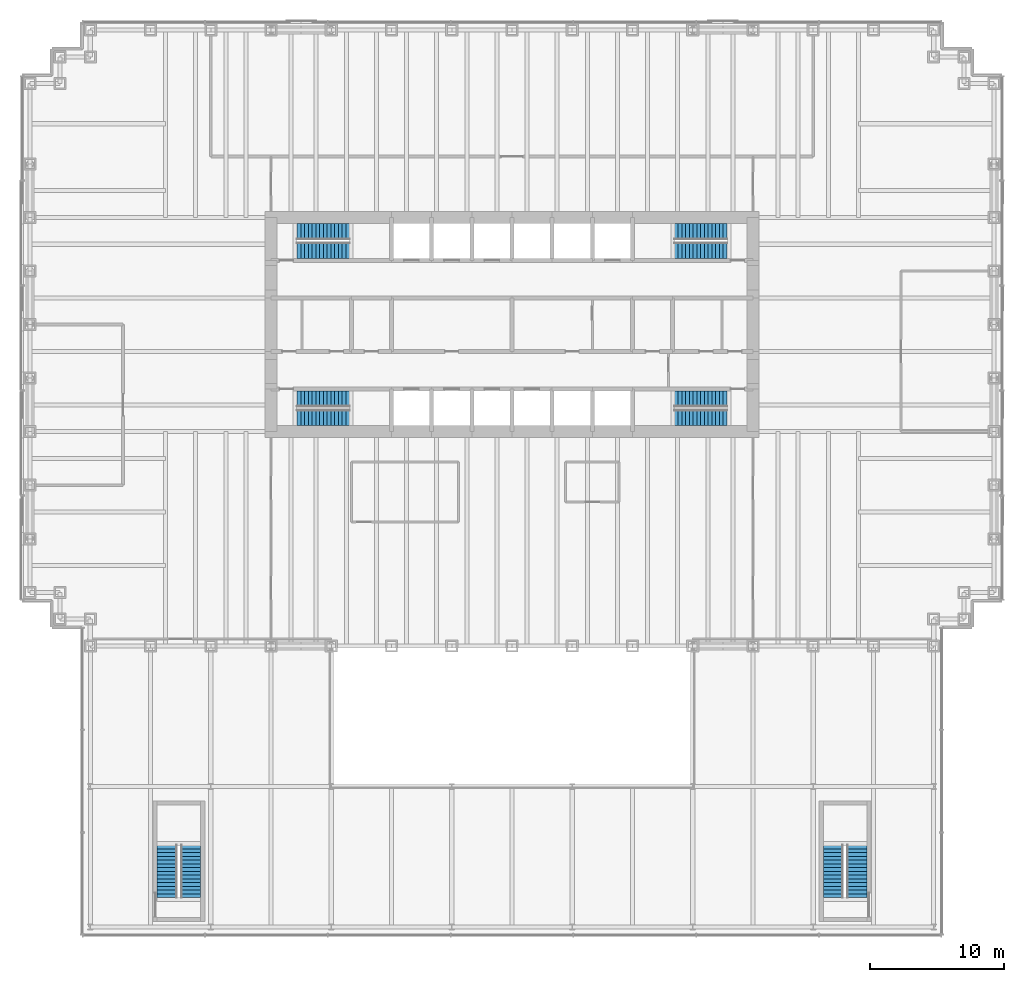
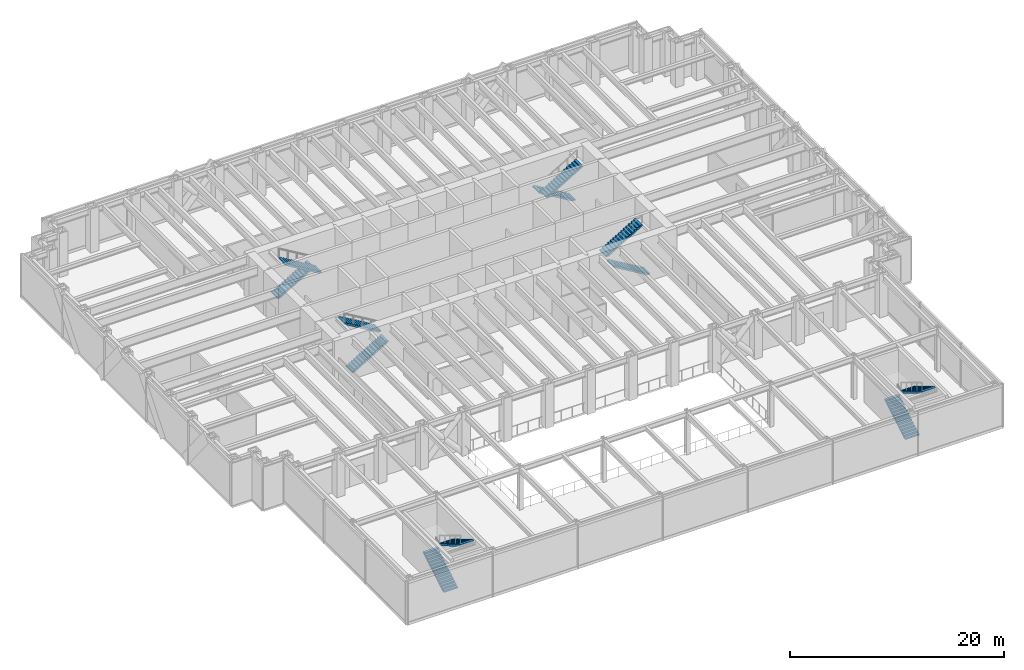
# One storey, part 16 of 17: 12 stair flights, 6 elements without a shape of their own.
"""IFC4 building model written with IfcOpenShell, lengths in metres."""

from ifc_helpers import new_model, si_unit, direction, frame, origin, place, context, subcontext, project, spatial, polyline, outline, extrude, material, type_object, element, aggregate, save


model = new_model("IFC4")

# Units and contexts
model_context = context("Model", 3, precision=1e-05, world=origin(), true_north=direction((0.0, 1.0)))
body_context = subcontext(model_context, "Body", "Model", "MODEL_VIEW")
ifc_project = project(units=[si_unit("LENGTHUNIT", "METRE"), si_unit("AREAUNIT", "SQUARE_METRE"), si_unit("VOLUMEUNIT", "CUBIC_METRE"), si_unit("PLANEANGLEUNIT", "RADIAN"), si_unit("MASSUNIT", "GRAM", prefix="KILO")], contexts=[model_context])

# Site, building, storey
site_placement = place(None, origin())
site = spatial("IfcSite", under=ifc_project, at=site_placement, CompositionType="ELEMENT")
building_placement = place(site_placement, origin())
building = spatial("IfcBuilding", under=site, at=building_placement, Name="Rheinbord Bourse Tower", CompositionType="ELEMENT")
storey_placement = place(building_placement, frame((0.0, 0.0, 13.0)))
storey = spatial("IfcBuildingStorey", under=building, at=storey_placement, Name="L02", CompositionType="ELEMENT", Elevation=13.0)

# Stair, stair flights
ifc_material_1 = material(Name="Concrete C30/37", Category="concrete")
stair_type_1 = type_object("IfcStairType", Name="CORE STAIR HALF TURN 5000", PredefinedType="HALF_TURN_STAIR", material=ifc_material_1)
stair_1_placement = place(storey_placement, origin())
stair_1 = element("IfcStair", 1, at=stair_1_placement, inside=storey, type_object=stair_type_1, Name="Stair ST1 L02, type CS3", PredefinedType="HALF_TURN_STAIR")
ifc_material_2 = material(Name="Concrete C30/37", Category="concrete")
stair_flight_type_1 = type_object("IfcStairFlightType", Name="CORE STAIR FLIGHT 1200, 15 RISERS", PredefinedType="STRAIGHT", material=ifc_material_2)
stair_flight_1_placement = place(storey_placement, frame((19.949951171875, 17.050048828125, 0.0), z_axis=(0.0, 0.0, 1.0), x_axis=(1.0, 0.0, 0.0)))
stair_flight_1 = element("IfcStairFlight", 2, at=stair_flight_1_placement, type_object=stair_flight_type_1, Name="STAIR L02 ST1 F1", NumberOfRisers=15, NumberOfTreads=14, PredefinedType="STRAIGHT", RiserHeight=0.166666667, TreadLength=0.28, context=body_context, shape_type="SweptSolid", body=[
    extrude(outline(polyline([(0.0, 0.0), (0.0, 0.166748046875), (0.280029296875, 0.166748046875), (0.280029296875, 0.333251953125), (0.56005859375, 0.333251953125), (0.56005859375, 0.5), (0.840087890625, 0.5), (0.840087890625, 0.666748046875), (1.1201171875, 0.666748046875), (1.1201171875, 0.833251953125), (1.39990234375, 0.833251953125), (1.39990234375, 1.0), (1.679931640625, 1.0), (1.679931640625, 1.166748046875), (1.9599609375, 1.166748046875), (1.9599609375, 1.333251953125), (2.239990234375, 1.333251953125), (2.239990234375, 1.5), (2.52001953125, 1.5), (2.52001953125, 1.666748046875), (2.800048828125, 1.666748046875), (2.800048828125, 1.833251953125), (3.080078125, 1.833251953125), (3.080078125, 2.0), (3.360107421875, 2.0), (3.360107421875, 2.166748046875), (3.639892578125, 2.166748046875), (3.639892578125, 2.333251953125), (3.919921875, 2.333251953125), (3.919921875, 2.5), (3.919921875, 2.158935546875), (0.29296875, 0.0), (0.0, 0.0)])), frame((0.0, 0.60009765625, 0.0), z_axis=(0.0, -1.0, 0.0), x_axis=(1.0, 0.0, 0.0)), (0.0, 0.0, 1.0), 1.199951171875),
])
stair_flight_2_placement = place(storey_placement, frame((23.8701171875, 18.449951171875, 2.5), z_axis=(0.0, 0.0, 1.0), x_axis=(-1.0, 0.0, 0.0)))
stair_flight_2 = element("IfcStairFlight", 3, at=stair_flight_2_placement, type_object=stair_flight_type_1, Name="STAIR L02 ST1 F2", NumberOfRisers=15, NumberOfTreads=14, PredefinedType="STRAIGHT", RiserHeight=0.166666667, TreadLength=0.28, context=body_context, shape_type="SweptSolid", body=[
    extrude(outline(polyline([(0.0, 0.0), (0.0, 0.166748046875), (0.280029296875, 0.166748046875), (0.280029296875, 0.333251953125), (0.56005859375, 0.333251953125), (0.56005859375, 0.5), (0.840087890625, 0.5), (0.840087890625, 0.666748046875), (1.1201171875, 0.666748046875), (1.1201171875, 0.833251953125), (1.39990234375, 0.833251953125), (1.39990234375, 1.0), (1.679931640625, 1.0), (1.679931640625, 1.166748046875), (1.9599609375, 1.166748046875), (1.9599609375, 1.333251953125), (2.239990234375, 1.333251953125), (2.239990234375, 1.5), (2.52001953125, 1.5), (2.52001953125, 1.666748046875), (2.800048828125, 1.666748046875), (2.800048828125, 1.833251953125), (3.080078125, 1.833251953125), (3.080078125, 2.0), (3.360107421875, 2.0), (3.360107421875, 2.166748046875), (3.639892578125, 2.166748046875), (3.639892578125, 2.333251953125), (3.919921875, 2.333251953125), (3.919921875, 2.5), (3.919921875, 2.158935546875), (0.29296875, 0.0), (0.0, 0.0)])), frame((0.0, 0.60009765625, 0.0), z_axis=(0.0, -1.0, 0.0), x_axis=(1.0, 0.0, 0.0)), (0.0, 0.0, 1.0), 1.199951171875),
])
aggregate(stair_1, [stair_flight_1, stair_flight_2])

stair_2_placement = place(storey_placement, origin())
stair_2 = element("IfcStair", 4, at=stair_2_placement, inside=storey, type_object=stair_type_1, Name="Stair ST2 L02, type CS3", PredefinedType="HALF_TURN_STAIR")
stair_flight_3_placement = place(storey_placement, frame((19.949951171875, 30.949951171875, 0.0), z_axis=(0.0, 0.0, 1.0), x_axis=(1.0, 0.0, 0.0)))
stair_flight_3 = element("IfcStairFlight", 5, at=stair_flight_3_placement, type_object=stair_flight_type_1, Name="STAIR L02 ST2 F1", NumberOfRisers=15, NumberOfTreads=14, PredefinedType="STRAIGHT", RiserHeight=0.166666667, TreadLength=0.28, context=body_context, shape_type="SweptSolid", body=[
    extrude(outline(polyline([(0.0, 0.0), (0.0, 0.166748046875), (0.280029296875, 0.166748046875), (0.280029296875, 0.333251953125), (0.56005859375, 0.333251953125), (0.56005859375, 0.5), (0.840087890625, 0.5), (0.840087890625, 0.666748046875), (1.1201171875, 0.666748046875), (1.1201171875, 0.833251953125), (1.39990234375, 0.833251953125), (1.39990234375, 1.0), (1.679931640625, 1.0), (1.679931640625, 1.166748046875), (1.9599609375, 1.166748046875), (1.9599609375, 1.333251953125), (2.239990234375, 1.333251953125), (2.239990234375, 1.5), (2.52001953125, 1.5), (2.52001953125, 1.666748046875), (2.800048828125, 1.666748046875), (2.800048828125, 1.833251953125), (3.080078125, 1.833251953125), (3.080078125, 2.0), (3.360107421875, 2.0), (3.360107421875, 2.166748046875), (3.639892578125, 2.166748046875), (3.639892578125, 2.333251953125), (3.919921875, 2.333251953125), (3.919921875, 2.5), (3.919921875, 2.158935546875), (0.29296875, 0.0), (0.0, 0.0)])), frame((0.0, 0.60009765625, 0.0), z_axis=(0.0, -1.0, 0.0), x_axis=(1.0, 0.0, 0.0)), (0.0, 0.0, 1.0), 1.199951171875),
])
stair_flight_4_placement = place(storey_placement, frame((23.8701171875, 29.550048828125, 2.5), z_axis=(0.0, 0.0, 1.0), x_axis=(-1.0, 0.0, 0.0)))
stair_flight_4 = element("IfcStairFlight", 6, at=stair_flight_4_placement, type_object=stair_flight_type_1, Name="STAIR L02 ST2 F2", NumberOfRisers=15, NumberOfTreads=14, PredefinedType="STRAIGHT", RiserHeight=0.166666667, TreadLength=0.28, context=body_context, shape_type="SweptSolid", body=[
    extrude(outline(polyline([(0.0, 0.0), (0.0, 0.166748046875), (0.280029296875, 0.166748046875), (0.280029296875, 0.333251953125), (0.56005859375, 0.333251953125), (0.56005859375, 0.5), (0.840087890625, 0.5), (0.840087890625, 0.666748046875), (1.1201171875, 0.666748046875), (1.1201171875, 0.833251953125), (1.39990234375, 0.833251953125), (1.39990234375, 1.0), (1.679931640625, 1.0), (1.679931640625, 1.166748046875), (1.9599609375, 1.166748046875), (1.9599609375, 1.333251953125), (2.239990234375, 1.333251953125), (2.239990234375, 1.5), (2.52001953125, 1.5), (2.52001953125, 1.666748046875), (2.800048828125, 1.666748046875), (2.800048828125, 1.833251953125), (3.080078125, 1.833251953125), (3.080078125, 2.0), (3.360107421875, 2.0), (3.360107421875, 2.166748046875), (3.639892578125, 2.166748046875), (3.639892578125, 2.333251953125), (3.919921875, 2.333251953125), (3.919921875, 2.5), (3.919921875, 2.158935546875), (0.29296875, 0.0), (0.0, 0.0)])), frame((0.0, 0.60009765625, 0.0), z_axis=(0.0, -1.0, 0.0), x_axis=(1.0, 0.0, 0.0)), (0.0, 0.0, 1.0), 1.199951171875),
])
aggregate(stair_2, [stair_flight_3, stair_flight_4])

stair_3_placement = place(storey_placement, origin())
stair_3 = element("IfcStair", 7, at=stair_3_placement, inside=storey, type_object=stair_type_1, Name="Stair ST3 L02, type CS3", PredefinedType="HALF_TURN_STAIR")
stair_flight_5_placement = place(storey_placement, frame((52.050048828125, 17.050048828125, 0.0), z_axis=(0.0, 0.0, 1.0), x_axis=(-1.0, 0.0, 0.0)))
stair_flight_5 = element("IfcStairFlight", 8, at=stair_flight_5_placement, type_object=stair_flight_type_1, Name="STAIR L02 ST3 F1", NumberOfRisers=15, NumberOfTreads=14, PredefinedType="STRAIGHT", RiserHeight=0.166666667, TreadLength=0.28, context=body_context, shape_type="SweptSolid", body=[
    extrude(outline(polyline([(0.0, 0.0), (0.0, 0.166748046875), (0.280029296875, 0.166748046875), (0.280029296875, 0.333251953125), (0.56005859375, 0.333251953125), (0.56005859375, 0.5), (0.840087890625, 0.5), (0.840087890625, 0.666748046875), (1.1201171875, 0.666748046875), (1.1201171875, 0.833251953125), (1.39990234375, 0.833251953125), (1.39990234375, 1.0), (1.679931640625, 1.0), (1.679931640625, 1.166748046875), (1.9599609375, 1.166748046875), (1.9599609375, 1.333251953125), (2.239990234375, 1.333251953125), (2.239990234375, 1.5), (2.52001953125, 1.5), (2.52001953125, 1.666748046875), (2.800048828125, 1.666748046875), (2.800048828125, 1.833251953125), (3.080078125, 1.833251953125), (3.080078125, 2.0), (3.360107421875, 2.0), (3.360107421875, 2.166748046875), (3.639892578125, 2.166748046875), (3.639892578125, 2.333251953125), (3.919921875, 2.333251953125), (3.919921875, 2.5), (3.919921875, 2.158935546875), (0.29296875, 0.0), (0.0, 0.0)])), frame((0.0, 0.60009765625, 0.0), z_axis=(0.0, -1.0, 0.0), x_axis=(1.0, 0.0, 0.0)), (0.0, 0.0, 1.0), 1.199951171875),
])
stair_flight_6_placement = place(storey_placement, frame((48.1298828125, 18.449951171875, 2.5), z_axis=(0.0, 0.0, 1.0), x_axis=(1.0, 0.0, 0.0)))
stair_flight_6 = element("IfcStairFlight", 9, at=stair_flight_6_placement, type_object=stair_flight_type_1, Name="STAIR L02 ST3 F2", NumberOfRisers=15, NumberOfTreads=14, PredefinedType="STRAIGHT", RiserHeight=0.166666667, TreadLength=0.28, context=body_context, shape_type="SweptSolid", body=[
    extrude(outline(polyline([(0.0, 0.0), (0.0, 0.166748046875), (0.280029296875, 0.166748046875), (0.280029296875, 0.333251953125), (0.56005859375, 0.333251953125), (0.56005859375, 0.5), (0.840087890625, 0.5), (0.840087890625, 0.666748046875), (1.1201171875, 0.666748046875), (1.1201171875, 0.833251953125), (1.39990234375, 0.833251953125), (1.39990234375, 1.0), (1.679931640625, 1.0), (1.679931640625, 1.166748046875), (1.9599609375, 1.166748046875), (1.9599609375, 1.333251953125), (2.239990234375, 1.333251953125), (2.239990234375, 1.5), (2.52001953125, 1.5), (2.52001953125, 1.666748046875), (2.800048828125, 1.666748046875), (2.800048828125, 1.833251953125), (3.080078125, 1.833251953125), (3.080078125, 2.0), (3.360107421875, 2.0), (3.360107421875, 2.166748046875), (3.639892578125, 2.166748046875), (3.639892578125, 2.333251953125), (3.919921875, 2.333251953125), (3.919921875, 2.5), (3.919921875, 2.158935546875), (0.29296875, 0.0), (0.0, 0.0)])), frame((0.0, 0.60009765625, 0.0), z_axis=(0.0, -1.0, 0.0), x_axis=(1.0, 0.0, 0.0)), (0.0, 0.0, 1.0), 1.199951171875),
])
aggregate(stair_3, [stair_flight_5, stair_flight_6])

stair_4_placement = place(storey_placement, origin())
stair_4 = element("IfcStair", 10, at=stair_4_placement, inside=storey, type_object=stair_type_1, Name="Stair ST4 L02, type CS3", PredefinedType="HALF_TURN_STAIR")
stair_flight_7_placement = place(storey_placement, frame((52.050048828125, 30.949951171875, 0.0), z_axis=(0.0, 0.0, 1.0), x_axis=(-1.0, 0.0, 0.0)))
stair_flight_7 = element("IfcStairFlight", 11, at=stair_flight_7_placement, type_object=stair_flight_type_1, Name="STAIR L02 ST4 F1", NumberOfRisers=15, NumberOfTreads=14, PredefinedType="STRAIGHT", RiserHeight=0.166666667, TreadLength=0.28, context=body_context, shape_type="SweptSolid", body=[
    extrude(outline(polyline([(0.0, 0.0), (0.0, 0.166748046875), (0.280029296875, 0.166748046875), (0.280029296875, 0.333251953125), (0.56005859375, 0.333251953125), (0.56005859375, 0.5), (0.840087890625, 0.5), (0.840087890625, 0.666748046875), (1.1201171875, 0.666748046875), (1.1201171875, 0.833251953125), (1.39990234375, 0.833251953125), (1.39990234375, 1.0), (1.679931640625, 1.0), (1.679931640625, 1.166748046875), (1.9599609375, 1.166748046875), (1.9599609375, 1.333251953125), (2.239990234375, 1.333251953125), (2.239990234375, 1.5), (2.52001953125, 1.5), (2.52001953125, 1.666748046875), (2.800048828125, 1.666748046875), (2.800048828125, 1.833251953125), (3.080078125, 1.833251953125), (3.080078125, 2.0), (3.360107421875, 2.0), (3.360107421875, 2.166748046875), (3.639892578125, 2.166748046875), (3.639892578125, 2.333251953125), (3.919921875, 2.333251953125), (3.919921875, 2.5), (3.919921875, 2.158935546875), (0.29296875, 0.0), (0.0, 0.0)])), frame((0.0, 0.60009765625, 0.0), z_axis=(0.0, -1.0, 0.0), x_axis=(1.0, 0.0, 0.0)), (0.0, 0.0, 1.0), 1.199951171875),
])
stair_flight_8_placement = place(storey_placement, frame((48.1298828125, 29.550048828125, 2.5), z_axis=(0.0, 0.0, 1.0), x_axis=(1.0, 0.0, 0.0)))
stair_flight_8 = element("IfcStairFlight", 12, at=stair_flight_8_placement, type_object=stair_flight_type_1, Name="STAIR L02 ST4 F2", NumberOfRisers=15, NumberOfTreads=14, PredefinedType="STRAIGHT", RiserHeight=0.166666667, TreadLength=0.28, context=body_context, shape_type="SweptSolid", body=[
    extrude(outline(polyline([(0.0, 0.0), (0.0, 0.166748046875), (0.280029296875, 0.166748046875), (0.280029296875, 0.333251953125), (0.56005859375, 0.333251953125), (0.56005859375, 0.5), (0.840087890625, 0.5), (0.840087890625, 0.666748046875), (1.1201171875, 0.666748046875), (1.1201171875, 0.833251953125), (1.39990234375, 0.833251953125), (1.39990234375, 1.0), (1.679931640625, 1.0), (1.679931640625, 1.166748046875), (1.9599609375, 1.166748046875), (1.9599609375, 1.333251953125), (2.239990234375, 1.333251953125), (2.239990234375, 1.5), (2.52001953125, 1.5), (2.52001953125, 1.666748046875), (2.800048828125, 1.666748046875), (2.800048828125, 1.833251953125), (3.080078125, 1.833251953125), (3.080078125, 2.0), (3.360107421875, 2.0), (3.360107421875, 2.166748046875), (3.639892578125, 2.166748046875), (3.639892578125, 2.333251953125), (3.919921875, 2.333251953125), (3.919921875, 2.5), (3.919921875, 2.158935546875), (0.29296875, 0.0), (0.0, 0.0)])), frame((0.0, 0.60009765625, 0.0), z_axis=(0.0, -1.0, 0.0), x_axis=(1.0, 0.0, 0.0)), (0.0, 0.0, 1.0), 1.199951171875),
])
aggregate(stair_4, [stair_flight_7, stair_flight_8])

ifc_material_3 = material(Name="Concrete C30/37", Category="concrete")
stair_type_2 = type_object("IfcStairType", Name="PODIUM STAIR HALF TURN", PredefinedType="HALF_TURN_STAIR", material=ifc_material_3)
stair_5_placement = place(storey_placement, origin())
stair_5 = element("IfcStair", 13, at=stair_5_placement, inside=storey, type_object=stair_type_2, Name="Stair ST5 L02, type PS1", PredefinedType="HALF_TURN_STAIR")
ifc_material_4 = material(Name="Concrete C30/37", Category="concrete")
stair_flight_type_2 = type_object("IfcStairFlightType", Name="PODIUM STAIR FLIGHT 1500", PredefinedType="STRAIGHT", material=ifc_material_4)
stair_flight_9_placement = place(storey_placement, frame((10.25, -18.800048828125, 0.0), z_axis=(0.0, 0.0, 1.0), x_axis=(0.0, 1.0, 0.0)))
stair_flight_9 = element("IfcStairFlight", 14, at=stair_flight_9_placement, type_object=stair_flight_type_2, Name="STAIR L02 ST5 F1", NumberOfRisers=15, NumberOfTreads=14, PredefinedType="STRAIGHT", RiserHeight=0.166666667, TreadLength=0.28, context=body_context, shape_type="SweptSolid", body=[
    extrude(outline(polyline([(0.0, 0.0), (0.0, 0.166748046875), (0.280029296875, 0.166748046875), (0.280029296875, 0.333251953125), (0.56005859375, 0.333251953125), (0.56005859375, 0.5), (0.840087890625, 0.5), (0.840087890625, 0.666748046875), (1.1201171875, 0.666748046875), (1.1201171875, 0.833251953125), (1.39990234375, 0.833251953125), (1.39990234375, 1.0), (1.679931640625, 1.0), (1.679931640625, 1.166748046875), (1.9599609375, 1.166748046875), (1.9599609375, 1.333251953125), (2.239990234375, 1.333251953125), (2.239990234375, 1.5), (2.52001953125, 1.5), (2.52001953125, 1.666748046875), (2.800048828125, 1.666748046875), (2.800048828125, 1.833251953125), (3.080078125, 1.833251953125), (3.080078125, 2.0), (3.360107421875, 2.0), (3.360107421875, 2.166748046875), (3.639892578125, 2.166748046875), (3.639892578125, 2.333251953125), (3.919921875, 2.333251953125), (3.919921875, 2.5), (3.919921875, 2.158935546875), (0.29296875, 0.0), (0.0, 0.0)])), frame((0.0, 0.75, 0.0), z_axis=(0.0, -1.0, 0.0), x_axis=(1.0, 0.0, 0.0)), (0.0, 0.0, 1.0), 1.5),
])
stair_flight_10_placement = place(storey_placement, frame((12.0, -14.8798828125, 2.5), z_axis=(0.0, 0.0, 1.0), x_axis=(0.0, -1.0, 0.0)))
stair_flight_10 = element("IfcStairFlight", 15, at=stair_flight_10_placement, type_object=stair_flight_type_2, Name="STAIR L02 ST5 F2", NumberOfRisers=15, NumberOfTreads=14, PredefinedType="STRAIGHT", RiserHeight=0.166666667, TreadLength=0.28, context=body_context, shape_type="SweptSolid", body=[
    extrude(outline(polyline([(0.0, 0.0), (0.0, 0.166748046875), (0.280029296875, 0.166748046875), (0.280029296875, 0.333251953125), (0.56005859375, 0.333251953125), (0.56005859375, 0.5), (0.840087890625, 0.5), (0.840087890625, 0.666748046875), (1.1201171875, 0.666748046875), (1.1201171875, 0.833251953125), (1.39990234375, 0.833251953125), (1.39990234375, 1.0), (1.679931640625, 1.0), (1.679931640625, 1.166748046875), (1.9599609375, 1.166748046875), (1.9599609375, 1.333251953125), (2.239990234375, 1.333251953125), (2.239990234375, 1.5), (2.52001953125, 1.5), (2.52001953125, 1.666748046875), (2.800048828125, 1.666748046875), (2.800048828125, 1.833251953125), (3.080078125, 1.833251953125), (3.080078125, 2.0), (3.360107421875, 2.0), (3.360107421875, 2.166748046875), (3.639892578125, 2.166748046875), (3.639892578125, 2.333251953125), (3.919921875, 2.333251953125), (3.919921875, 2.5), (3.919921875, 2.158935546875), (0.29296875, 0.0), (0.0, 0.0)])), frame((0.0, 0.75, 0.0), z_axis=(0.0, -1.0, 0.0), x_axis=(1.0, 0.0, 0.0)), (0.0, 0.0, 1.0), 1.5),
])
aggregate(stair_5, [stair_flight_9, stair_flight_10])

stair_6_placement = place(storey_placement, origin())
stair_6 = element("IfcStair", 16, at=stair_6_placement, inside=storey, type_object=stair_type_2, Name="Stair ST6 L02, type PS1", PredefinedType="HALF_TURN_STAIR")
stair_flight_11_placement = place(storey_placement, frame((60.0, -18.800048828125, 0.0), z_axis=(0.0, 0.0, 1.0), x_axis=(0.0, 1.0, 0.0)))
stair_flight_11 = element("IfcStairFlight", 17, at=stair_flight_11_placement, type_object=stair_flight_type_2, Name="STAIR L02 ST6 F1", NumberOfRisers=15, NumberOfTreads=14, PredefinedType="STRAIGHT", RiserHeight=0.166666667, TreadLength=0.28, context=body_context, shape_type="SweptSolid", body=[
    extrude(outline(polyline([(0.0, 0.0), (0.0, 0.166748046875), (0.280029296875, 0.166748046875), (0.280029296875, 0.333251953125), (0.56005859375, 0.333251953125), (0.56005859375, 0.5), (0.840087890625, 0.5), (0.840087890625, 0.666748046875), (1.1201171875, 0.666748046875), (1.1201171875, 0.833251953125), (1.39990234375, 0.833251953125), (1.39990234375, 1.0), (1.679931640625, 1.0), (1.679931640625, 1.166748046875), (1.9599609375, 1.166748046875), (1.9599609375, 1.333251953125), (2.239990234375, 1.333251953125), (2.239990234375, 1.5), (2.52001953125, 1.5), (2.52001953125, 1.666748046875), (2.800048828125, 1.666748046875), (2.800048828125, 1.833251953125), (3.080078125, 1.833251953125), (3.080078125, 2.0), (3.360107421875, 2.0), (3.360107421875, 2.166748046875), (3.639892578125, 2.166748046875), (3.639892578125, 2.333251953125), (3.919921875, 2.333251953125), (3.919921875, 2.5), (3.919921875, 2.158935546875), (0.29296875, 0.0), (0.0, 0.0)])), frame((0.0, 0.75, 0.0), z_axis=(0.0, -1.0, 0.0), x_axis=(1.0, 0.0, 0.0)), (0.0, 0.0, 1.0), 1.5),
])
stair_flight_12_placement = place(storey_placement, frame((61.75, -14.8798828125, 2.5), z_axis=(0.0, 0.0, 1.0), x_axis=(0.0, -1.0, 0.0)))
stair_flight_12 = element("IfcStairFlight", 18, at=stair_flight_12_placement, type_object=stair_flight_type_2, Name="STAIR L02 ST6 F2", NumberOfRisers=15, NumberOfTreads=14, PredefinedType="STRAIGHT", RiserHeight=0.166666667, TreadLength=0.28, context=body_context, shape_type="SweptSolid", body=[
    extrude(outline(polyline([(0.0, 0.0), (0.0, 0.166748046875), (0.280029296875, 0.166748046875), (0.280029296875, 0.333251953125), (0.56005859375, 0.333251953125), (0.56005859375, 0.5), (0.840087890625, 0.5), (0.840087890625, 0.666748046875), (1.1201171875, 0.666748046875), (1.1201171875, 0.833251953125), (1.39990234375, 0.833251953125), (1.39990234375, 1.0), (1.679931640625, 1.0), (1.679931640625, 1.166748046875), (1.9599609375, 1.166748046875), (1.9599609375, 1.333251953125), (2.239990234375, 1.333251953125), (2.239990234375, 1.5), (2.52001953125, 1.5), (2.52001953125, 1.666748046875), (2.800048828125, 1.666748046875), (2.800048828125, 1.833251953125), (3.080078125, 1.833251953125), (3.080078125, 2.0), (3.360107421875, 2.0), (3.360107421875, 2.166748046875), (3.639892578125, 2.166748046875), (3.639892578125, 2.333251953125), (3.919921875, 2.333251953125), (3.919921875, 2.5), (3.919921875, 2.158935546875), (0.29296875, 0.0), (0.0, 0.0)])), frame((0.0, 0.75, 0.0), z_axis=(0.0, -1.0, 0.0), x_axis=(1.0, 0.0, 0.0)), (0.0, 0.0, 1.0), 1.5),
])
aggregate(stair_6, [stair_flight_11, stair_flight_12])

save(model, "model.ifc")
